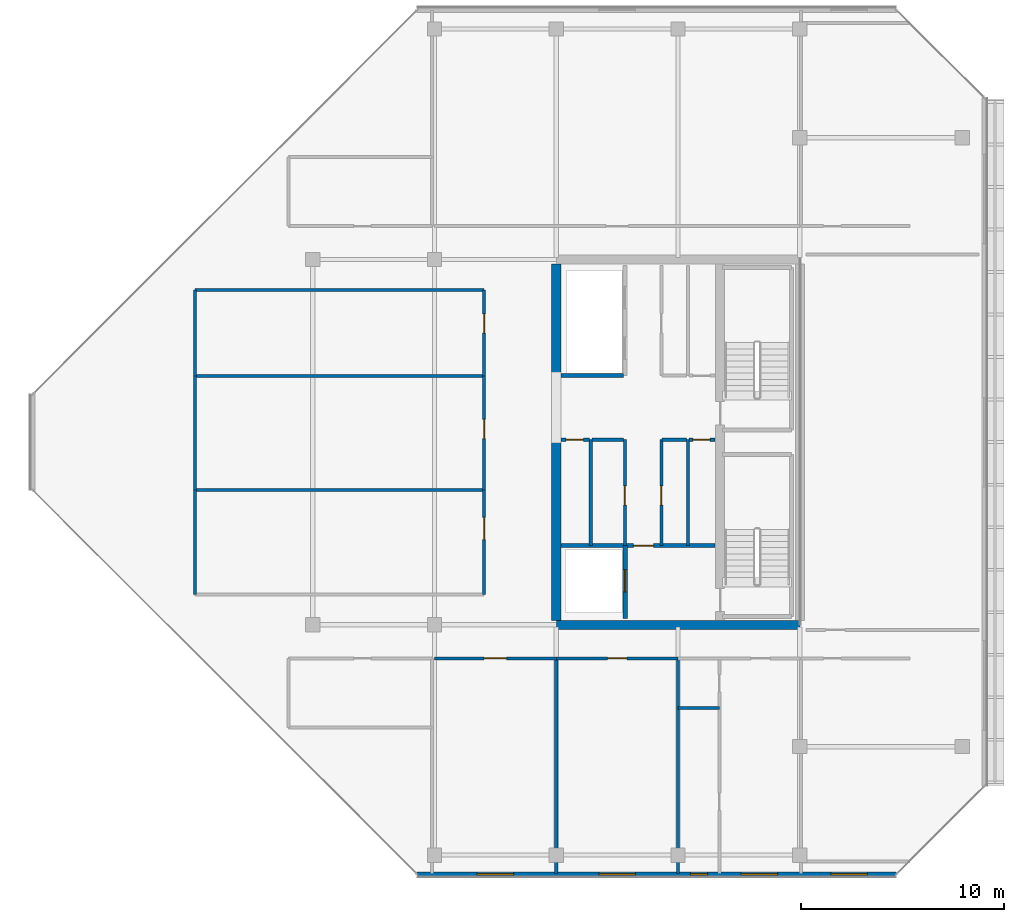
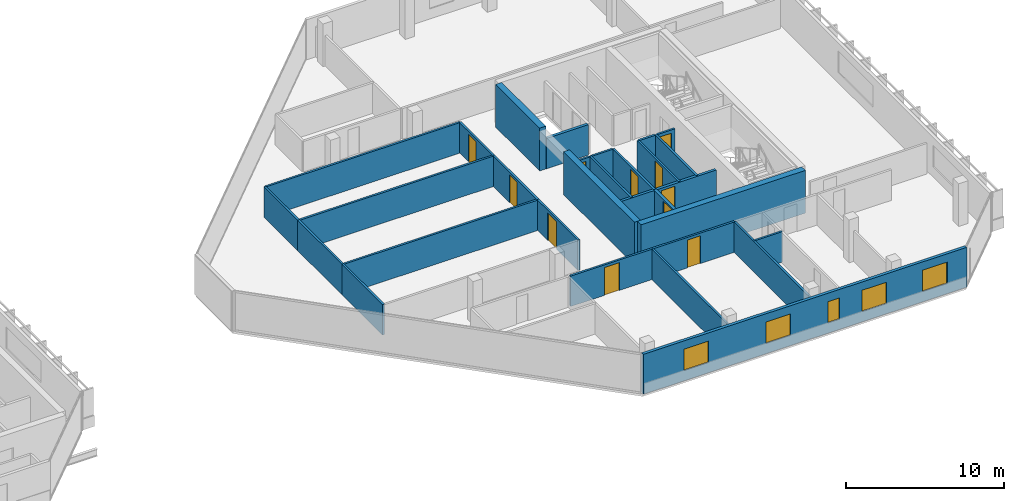
# One storey, part 23 of 29: 29 walls, 11 doors, 5 windows, 16 openings.
"""IFC4 building model written with IfcOpenShell, lengths in metres."""

from ifc_helpers import new_model, si_unit, direction, frame, frame_2d, origin, place, context, subcontext, project, spatial, rectangle, extrude, material, layer, layer_set, type_object, element, fill, save


model = new_model("IFC4")

# Units and contexts
model_context = context("Model", 3, precision=1e-05, world=origin(), true_north=direction((0.0, 1.0)))
body_context = subcontext(model_context, "Body", "Model", "MODEL_VIEW")
ifc_project = project(units=[si_unit("LENGTHUNIT", "METRE"), si_unit("AREAUNIT", "SQUARE_METRE"), si_unit("VOLUMEUNIT", "CUBIC_METRE"), si_unit("PLANEANGLEUNIT", "RADIAN"), si_unit("MASSUNIT", "GRAM", prefix="KILO")], contexts=[model_context])

# Site, building, storey
site_placement = place(None, origin())
site = spatial("IfcSite", under=ifc_project, at=site_placement, CompositionType="ELEMENT")
building_placement = place(site_placement, origin())
building = spatial("IfcBuilding", under=site, at=building_placement, Name="Tanjung Sevakor Pilgrim Tower", CompositionType="ELEMENT")
storey_placement = place(building_placement, frame((0.0, 0.0, 232.64990234375)))
storey = spatial("IfcBuildingStorey", under=building, at=storey_placement, Name="L65", CompositionType="ELEMENT", Elevation=232.64990234375)

# Walls
ifc_material_1 = material(Name="Concrete C60/75", Category="concrete")
ifc_layer_1 = layer(ifc_material_1, 0.449951171875)
ifc_layer_set_1 = layer_set([ifc_layer_1], Name="WALL-CW-450")
wall_type_1 = type_object("IfcWallType", Name="WALL-CW-450", PredefinedType="SHEAR", material=ifc_layer_set_1)
wall_1_placement = place(storey_placement, frame((78.0, 24.60009765625, 0.0), z_axis=(0.0, 0.0, 1.0), x_axis=(1.0, 0.0, 0.0)))
element("IfcWall", 1, at=wall_1_placement, inside=storey, type_object=wall_type_1, Name="L65 E Core South Shear Wall", PredefinedType="SHEAR", context=body_context, shape_type="SweptSolid", body=[
    extrude(rectangle(XDim=12.0, YDim=0.449951171875, at=frame_2d((6.0, 0.0))), origin(), (0.0, 0.0, 1.0), 3.300048828125),
])
wall_2_placement = place(storey_placement, frame((78.0, 24.824951171875, 0.0), z_axis=(0.0, 0.0, 1.0), x_axis=(0.0, 1.0, 0.0)))
element("IfcWall", 2, at=wall_2_placement, inside=storey, type_object=wall_type_1, Name="L65 E Core Inner Shear Wall South", PredefinedType="SHEAR", context=body_context, shape_type="SweptSolid", body=[
    extrude(rectangle(XDim=8.97509765625, YDim=0.449951171875, at=frame_2d((4.487548828125, 0.0))), origin(), (0.0, 0.0, 1.0), 3.300048828125),
])
wall_3_placement = place(storey_placement, frame((78.0, 36.800048828125, 0.0), z_axis=(0.0, 0.0, 1.0), x_axis=(0.0, 1.0, 0.0)))
element("IfcWall", 3, at=wall_3_placement, inside=storey, type_object=wall_type_1, Name="L65 E Core Inner Shear Wall North", PredefinedType="SHEAR", context=body_context, shape_type="SweptSolid", body=[
    extrude(rectangle(XDim=5.574951171875, YDim=0.449951171875, at=frame_2d((2.78759765625, 0.0))), origin(), (0.0, 0.0, 1.0), 3.300048828125),
])
ifc_material_2 = material(Name="Concrete C40/50", Category="concrete")
ifc_layer_2 = layer(ifc_material_2, 0.14990234375)
ifc_layer_set_2 = layer_set([ifc_layer_2], Name="WT-COMP-150")
wall_type_2 = type_object("IfcWallType", Name="WT-COMP-150", PredefinedType="SOLIDWALL", material=ifc_layer_set_2)
wall_4_placement = place(storey_placement, frame((84.47998046875, 28.5, 0.0), z_axis=(0.0, 0.0, 1.0), x_axis=(0.0, 1.0, 0.0)))
element("IfcWall", 4, at=wall_4_placement, inside=storey, type_object=wall_type_2, Name="L65 Partition IW-L65-019", PredefinedType="SOLIDWALL", context=body_context, shape_type="SweptSolid", body=[
    extrude(rectangle(XDim=5.219970703125, YDim=0.14990234375, at=frame_2d((2.60986328125, 0.0))), origin(), (0.0, 0.0, 1.0), 2.35009765625),
])

# Wall, opening, door
wall_5_placement = place(storey_placement, frame((84.550048828125, 33.719970703125, 0.0), z_axis=(0.0, 0.0, 1.0), x_axis=(1.0, 0.0, 0.0)))
wall_5 = element("IfcWall", 5, at=wall_5_placement, inside=storey, type_object=wall_type_2, Name="L65 Partition IW-L65-020", PredefinedType="SOLIDWALL", context=body_context, shape_type="SweptSolid", body=[
    extrude(rectangle(XDim=1.280029296875, YDim=0.14990234375, at=frame_2d((0.64013671875, 0.0))), origin(), (0.0, 0.0, 1.0), 2.35009765625),
])
opening_1_placement = place(wall_5_placement, frame((0.179931640625, 0.0, 0.0)))
opening_1 = element("IfcOpeningElement", 6, at=opening_1_placement, cuts=wall_5, Name="Opening ID-FD3", PredefinedType="OPENING", context=body_context, shape_type="SweptSolid", body=[
    extrude(rectangle(XDim=0.85009765625, YDim=2.10009765625, at=frame_2d((0.425048828125, 1.050048828125))), frame((0.0, 0.0849609375, 0.0), z_axis=(0.0, -1.0, 0.0), x_axis=(1.0, 0.0, 0.0)), (0.0, 0.0, 1.0), 0.169921875),
])
ifc_material_3 = material(Name="Fire-Rated Timber", Category="wood")
door_type_1 = type_object("IfcDoorType", Name="DT-FIRE-850", OperationType="NOTDEFINED", PredefinedType="DOOR", material=ifc_material_3)
door_1_placement = place(opening_1_placement, origin())
door_1 = element("IfcDoor", 7, at=door_1_placement, inside=storey, type_object=door_type_1, Name="L65 Cleaner Store Door", OperationType="SINGLE_SWING_LEFT", OverallHeight=2.10009765625, OverallWidth=0.85009765625, PredefinedType="DOOR", context=body_context, shape_type="SweptSolid", body=[
    extrude(rectangle(XDim=0.85009765625, YDim=2.10009765625, at=frame_2d((0.425048828125, 1.050048828125))), frame((0.0, 0.02490234375, 0.0), z_axis=(0.0, -1.0, 0.0), x_axis=(1.0, 0.0, 0.0)), (0.0, 0.0, 1.0), 0.050048828125),
])
fill(opening_1, door_1)

# Wall
wall_6_placement = place(storey_placement, frame((83.199951171875, 33.719970703125, 0.0), z_axis=(0.0, 0.0, 1.0), x_axis=(1.0, 0.0, 0.0)))
element("IfcWall", 8, at=wall_6_placement, inside=storey, type_object=wall_type_2, Name="L65 Partition IW-L65-021", PredefinedType="SOLIDWALL", context=body_context, shape_type="SweptSolid", body=[
    extrude(rectangle(XDim=1.219970703125, YDim=0.14990234375, at=frame_2d((0.60986328125, 0.0))), origin(), (0.0, 0.0, 1.0), 2.35009765625),
])

# Wall, opening, door
wall_7_placement = place(storey_placement, frame((83.179931640625, 28.5, 0.0), z_axis=(0.0, 0.0, 1.0), x_axis=(0.0, 1.0, 0.0)))
wall_7 = element("IfcWall", 9, at=wall_7_placement, inside=storey, type_object=wall_type_2, Name="L65 Partition IW-L65-022", PredefinedType="SOLIDWALL", context=body_context, shape_type="SweptSolid", body=[
    extrude(rectangle(XDim=5.219970703125, YDim=0.14990234375, at=frame_2d((2.60986328125, 0.0))), origin(), (0.0, 0.0, 1.0), 2.35009765625),
])
opening_2_placement = place(wall_7_placement, frame((2.0, 0.0, 0.0)))
opening_2 = element("IfcOpeningElement", 10, at=opening_2_placement, cuts=wall_7, Name="Opening ID-FD2", PredefinedType="OPENING", context=body_context, shape_type="SweptSolid", body=[
    extrude(rectangle(XDim=0.949951171875, YDim=2.14990234375, at=frame_2d((0.47509765625, 1.074951171875))), frame((0.0, 0.0849609375, 0.0), z_axis=(0.0, -1.0, 0.0), x_axis=(1.0, 0.0, 0.0)), (0.0, 0.0, 1.0), 0.169921875),
])
ifc_material_4 = material(Name="Fire-Rated Timber", Category="wood")
door_type_2 = type_object("IfcDoorType", Name="DT-FIRE-950", OperationType="NOTDEFINED", PredefinedType="DOOR", material=ifc_material_4)
door_2_placement = place(opening_2_placement, origin())
door_2 = element("IfcDoor", 11, at=door_2_placement, inside=storey, type_object=door_type_2, Name="L65 Housekeeping Pantry Door", OperationType="SINGLE_SWING_RIGHT", OverallHeight=2.14990234375, OverallWidth=0.949951171875, PredefinedType="DOOR", context=body_context, shape_type="SweptSolid", body=[
    extrude(rectangle(XDim=0.949951171875, YDim=2.14990234375, at=frame_2d((0.47509765625, 1.074951171875))), frame((0.0, 0.02490234375, 0.0), z_axis=(0.0, -1.0, 0.0), x_axis=(1.0, 0.0, 0.0)), (0.0, 0.0, 1.0), 0.050048828125),
])
fill(opening_2, door_2)

# Walls
wall_8_placement = place(storey_placement, frame((79.699951171875, 28.5, 0.0), z_axis=(0.0, 0.0, 1.0), x_axis=(0.0, 1.0, 0.0)))
element("IfcWall", 12, at=wall_8_placement, inside=storey, type_object=wall_type_2, Name="L65 Partition IW-L65-023", PredefinedType="SOLIDWALL", context=body_context, shape_type="SweptSolid", body=[
    extrude(rectangle(XDim=5.219970703125, YDim=0.14990234375, at=frame_2d((2.60986328125, 0.0))), origin(), (0.0, 0.0, 1.0), 2.35009765625),
])
wall_9_placement = place(storey_placement, frame((79.760009765625, 33.719970703125, 0.0), z_axis=(0.0, 0.0, 1.0), x_axis=(1.0, 0.0, 0.0)))
element("IfcWall", 13, at=wall_9_placement, inside=storey, type_object=wall_type_2, Name="L65 Partition IW-L65-024", PredefinedType="SOLIDWALL", context=body_context, shape_type="SweptSolid", body=[
    extrude(rectangle(XDim=1.56005859375, YDim=0.14990234375, at=frame_2d((0.780029296875, 0.0))), origin(), (0.0, 0.0, 1.0), 2.35009765625),
])

# Wall, opening, door
wall_10_placement = place(storey_placement, frame((78.2451171875, 33.719970703125, 0.0), z_axis=(0.0, 0.0, 1.0), x_axis=(1.0, 0.0, 0.0)))
wall_10 = element("IfcWall", 14, at=wall_10_placement, inside=storey, type_object=wall_type_2, Name="L65 Partition IW-L65-025", PredefinedType="SOLIDWALL", context=body_context, shape_type="SweptSolid", body=[
    extrude(rectangle(XDim=1.394775390625, YDim=0.14990234375, at=frame_2d((0.697265625, 0.0))), origin(), (0.0, 0.0, 1.0), 2.35009765625),
])
opening_3_placement = place(wall_10_placement, frame((0.239990234375, 0.0, 0.0)))
opening_3 = element("IfcOpeningElement", 15, at=opening_3_placement, cuts=wall_10, Name="Opening ID-FD3", PredefinedType="OPENING", context=body_context, shape_type="SweptSolid", body=[
    extrude(rectangle(XDim=0.85009765625, YDim=2.10009765625, at=frame_2d((0.425048828125, 1.050048828125))), frame((0.0, 0.0849609375, 0.0), z_axis=(0.0, -1.0, 0.0), x_axis=(1.0, 0.0, 0.0)), (0.0, 0.0, 1.0), 0.169921875),
])
door_3_placement = place(opening_3_placement, origin())
door_3 = element("IfcDoor", 16, at=door_3_placement, inside=storey, type_object=door_type_1, Name="L65 Service Store Door", OperationType="SINGLE_SWING_LEFT", OverallHeight=2.10009765625, OverallWidth=0.85009765625, PredefinedType="DOOR", context=body_context, shape_type="SweptSolid", body=[
    extrude(rectangle(XDim=0.85009765625, YDim=2.10009765625, at=frame_2d((0.425048828125, 1.050048828125))), frame((0.0, 0.02490234375, 0.0), z_axis=(0.0, -1.0, 0.0), x_axis=(1.0, 0.0, 0.0)), (0.0, 0.0, 1.0), 0.050048828125),
])
fill(opening_3, door_3)

wall_11_placement = place(storey_placement, frame((81.3798828125, 28.5, 0.0), z_axis=(0.0, 0.0, 1.0), x_axis=(0.0, 1.0, 0.0)))
wall_11 = element("IfcWall", 17, at=wall_11_placement, inside=storey, type_object=wall_type_2, Name="L65 Partition IW-L65-026", PredefinedType="SOLIDWALL", context=body_context, shape_type="SweptSolid", body=[
    extrude(rectangle(XDim=5.219970703125, YDim=0.14990234375, at=frame_2d((2.60986328125, 0.0))), origin(), (0.0, 0.0, 1.0), 2.35009765625),
])
opening_4_placement = place(wall_11_placement, frame((2.0, 0.0, 0.0)))
opening_4 = element("IfcOpeningElement", 18, at=opening_4_placement, cuts=wall_11, Name="Opening ID-FD2", PredefinedType="OPENING", context=body_context, shape_type="SweptSolid", body=[
    extrude(rectangle(XDim=0.949951171875, YDim=2.14990234375, at=frame_2d((0.47509765625, 1.074951171875))), frame((0.0, 0.0849609375, 0.0), z_axis=(0.0, -1.0, 0.0), x_axis=(1.0, 0.0, 0.0)), (0.0, 0.0, 1.0), 0.169921875),
])
door_4_placement = place(opening_4_placement, origin())
door_4 = element("IfcDoor", 19, at=door_4_placement, inside=storey, type_object=door_type_2, Name="L65 Accessible WC Door", OperationType="SINGLE_SWING_RIGHT", OverallHeight=2.14990234375, OverallWidth=0.949951171875, PredefinedType="DOOR", context=body_context, shape_type="SweptSolid", body=[
    extrude(rectangle(XDim=0.949951171875, YDim=2.14990234375, at=frame_2d((0.47509765625, 1.074951171875))), frame((0.0, 0.02490234375, 0.0), z_axis=(0.0, -1.0, 0.0), x_axis=(1.0, 0.0, 0.0)), (0.0, 0.0, 1.0), 0.050048828125),
])
fill(opening_4, door_4)

# Wall
wall_12_placement = place(storey_placement, frame((78.0, 12.340087890625, 0.0), z_axis=(0.0, 0.0, 1.0), x_axis=(0.0, 1.0, 0.0)))
element("IfcWall", 20, at=wall_12_placement, inside=storey, type_object=wall_type_2, Name="L65 Partition IW-L65-057", PredefinedType="SOLIDWALL", context=body_context, shape_type="SweptSolid", body=[
    extrude(rectangle(XDim=10.60986328125, YDim=0.14990234375, at=frame_2d((5.304931640625, 0.0))), origin(), (0.0, 0.0, 1.0), 2.35009765625),
])

# Wall, opening, door
wall_13_placement = place(storey_placement, frame((72.0, 22.949951171875, 0.0), z_axis=(0.0, 0.0, 1.0), x_axis=(1.0, 0.0, 0.0)))
wall_13 = element("IfcWall", 21, at=wall_13_placement, inside=storey, type_object=wall_type_2, Name="L65 Partition IW-L65-058", PredefinedType="SOLIDWALL", context=body_context, shape_type="SweptSolid", body=[
    extrude(rectangle(XDim=6.0, YDim=0.14990234375, at=frame_2d((3.0, 0.0))), origin(), (0.0, 0.0, 1.0), 2.35009765625),
])
opening_5_placement = place(wall_13_placement, frame((2.449951171875, 0.0, 0.0)))
opening_5 = element("IfcOpeningElement", 22, at=opening_5_placement, cuts=wall_13, Name="Opening ID-FD0", PredefinedType="OPENING", context=body_context, shape_type="SweptSolid", body=[
    extrude(rectangle(XDim=1.10009765625, YDim=2.14990234375, at=frame_2d((0.550048828125, 1.074951171875))), frame((0.0, 0.0849609375, 0.0), z_axis=(0.0, -1.0, 0.0), x_axis=(1.0, 0.0, 0.0)), (0.0, 0.0, 1.0), 0.169921875),
])
ifc_material_5 = material(Name="Fire-Rated Steel S355J2", Category="steel")
door_type_3 = type_object("IfcDoorType", Name="DT-FIRE-1100", OperationType="NOTDEFINED", PredefinedType="DOOR", material=ifc_material_5)
door_5_placement = place(opening_5_placement, origin())
door_5 = element("IfcDoor", 23, at=door_5_placement, inside=storey, type_object=door_type_3, Name="Council Room Door", OperationType="SINGLE_SWING_LEFT", OverallHeight=2.14990234375, OverallWidth=1.10009765625, PredefinedType="DOOR", context=body_context, shape_type="SweptSolid", body=[
    extrude(rectangle(XDim=1.10009765625, YDim=2.14990234375, at=frame_2d((0.550048828125, 1.074951171875))), frame((0.0, 0.02490234375, 0.0), z_axis=(0.0, -1.0, 0.0), x_axis=(1.0, 0.0, 0.0)), (0.0, 0.0, 1.0), 0.050048828125),
])
fill(opening_5, door_5)

# Wall
wall_14_placement = place(storey_placement, frame((84.0, 12.340087890625, 0.0), z_axis=(0.0, 0.0, 1.0), x_axis=(0.0, 1.0, 0.0)))
element("IfcWall", 24, at=wall_14_placement, inside=storey, type_object=wall_type_2, Name="L65 Partition IW-L65-059", PredefinedType="SOLIDWALL", context=body_context, shape_type="SweptSolid", body=[
    extrude(rectangle(XDim=10.60986328125, YDim=0.14990234375, at=frame_2d((5.304931640625, 0.0))), origin(), (0.0, 0.0, 1.0), 2.35009765625),
])

# Wall, opening, door
wall_15_placement = place(storey_placement, frame((78.0, 22.949951171875, 0.0), z_axis=(0.0, 0.0, 1.0), x_axis=(1.0, 0.0, 0.0)))
wall_15 = element("IfcWall", 25, at=wall_15_placement, inside=storey, type_object=wall_type_2, Name="L65 Partition IW-L65-060", PredefinedType="SOLIDWALL", context=body_context, shape_type="SweptSolid", body=[
    extrude(rectangle(XDim=6.0, YDim=0.14990234375, at=frame_2d((3.0, 0.0))), origin(), (0.0, 0.0, 1.0), 2.35009765625),
])
opening_6_placement = place(wall_15_placement, frame((2.52490234375, 0.0, 0.0)))
opening_6 = element("IfcOpeningElement", 26, at=opening_6_placement, cuts=wall_15, Name="Opening ID-FD2", PredefinedType="OPENING", context=body_context, shape_type="SweptSolid", body=[
    extrude(rectangle(XDim=0.949951171875, YDim=2.14990234375, at=frame_2d((0.47509765625, 1.074951171875))), frame((0.0, 0.0849609375, 0.0), z_axis=(0.0, -1.0, 0.0), x_axis=(1.0, 0.0, 0.0)), (0.0, 0.0, 1.0), 0.169921875),
])
door_6_placement = place(opening_6_placement, origin())
door_6 = element("IfcDoor", 27, at=door_6_placement, inside=storey, type_object=door_type_2, Name="Housekeeping Pantry Door", OperationType="SINGLE_SWING_RIGHT", OverallHeight=2.14990234375, OverallWidth=0.949951171875, PredefinedType="DOOR", context=body_context, shape_type="SweptSolid", body=[
    extrude(rectangle(XDim=0.949951171875, YDim=2.14990234375, at=frame_2d((0.47509765625, 1.074951171875))), frame((0.0, 0.02490234375, 0.0), z_axis=(0.0, -1.0, 0.0), x_axis=(1.0, 0.0, 0.0)), (0.0, 0.0, 1.0), 0.050048828125),
])
fill(opening_6, door_6)

# Walls
wall_16_placement = place(storey_placement, frame((60.199951171875, 31.25, 0.0), z_axis=(0.0, 0.0, 1.0), x_axis=(1.0, 0.0, 0.0)))
element("IfcWall", 28, at=wall_16_placement, inside=storey, type_object=wall_type_2, Name="L65 Partition IW-L65-066", PredefinedType="SOLIDWALL", context=body_context, shape_type="SweptSolid", body=[
    extrude(rectangle(XDim=14.25, YDim=0.14990234375, at=frame_2d((7.125, 0.0))), origin(), (0.0, 0.0, 1.0), 2.35009765625),
])
wall_17_placement = place(storey_placement, frame((60.199951171875, 26.10009765625, 0.0), z_axis=(0.0, 0.0, 1.0), x_axis=(0.0, 1.0, 0.0)))
element("IfcWall", 29, at=wall_17_placement, inside=storey, type_object=wall_type_2, Name="L65 Partition IW-L65-067", PredefinedType="SOLIDWALL", context=body_context, shape_type="SweptSolid", body=[
    extrude(rectangle(XDim=5.14990234375, YDim=0.14990234375, at=frame_2d((2.574951171875, 0.0))), origin(), (0.0, 0.0, 1.0), 2.35009765625),
])

# Wall, opening, door
wall_18_placement = place(storey_placement, frame((74.449951171875, 26.10009765625, 0.0), z_axis=(0.0, 0.0, 1.0), x_axis=(0.0, 1.0, 0.0)))
wall_18 = element("IfcWall", 30, at=wall_18_placement, inside=storey, type_object=wall_type_2, Name="L65 Partition IW-L65-068", PredefinedType="SOLIDWALL", context=body_context, shape_type="SweptSolid", body=[
    extrude(rectangle(XDim=5.14990234375, YDim=0.14990234375, at=frame_2d((2.574951171875, 0.0))), origin(), (0.0, 0.0, 1.0), 2.35009765625),
])
opening_7_placement = place(wall_18_placement, frame((2.699951171875, 0.0, 0.0)))
opening_7 = element("IfcOpeningElement", 31, at=opening_7_placement, cuts=wall_18, Name="Opening ID-RM2", PredefinedType="OPENING", context=body_context, shape_type="SweptSolid", body=[
    extrude(rectangle(XDim=1.10009765625, YDim=2.14990234375, at=frame_2d((0.550048828125, 1.074951171875))), frame((0.0, 0.0849609375, 0.0), z_axis=(0.0, -1.0, 0.0), x_axis=(1.0, 0.0, 0.0)), (0.0, 0.0, 1.0), 0.169921875),
])
ifc_material_6 = material(Name="Hardwood Timber", Category="wood")
door_type_4 = type_object("IfcDoorType", Name="DT-INT-1100", OperationType="NOTDEFINED", PredefinedType="DOOR", material=ifc_material_6)
door_7_placement = place(opening_7_placement, origin())
door_7 = element("IfcDoor", 32, at=door_7_placement, inside=storey, type_object=door_type_4, Name="L65 South Peak Lounge Door", OperationType="SINGLE_SWING_LEFT", OverallHeight=2.14990234375, OverallWidth=1.10009765625, PredefinedType="DOOR", context=body_context, shape_type="SweptSolid", body=[
    extrude(rectangle(XDim=1.10009765625, YDim=2.14990234375, at=frame_2d((0.550048828125, 1.074951171875))), frame((0.0, 0.02490234375, 0.0), z_axis=(0.0, -1.0, 0.0), x_axis=(1.0, 0.0, 0.0)), (0.0, 0.0, 1.0), 0.050048828125),
])
fill(opening_7, door_7)

# Walls
wall_19_placement = place(storey_placement, frame((60.199951171875, 36.85009765625, 0.0), z_axis=(0.0, 0.0, 1.0), x_axis=(1.0, 0.0, 0.0)))
element("IfcWall", 33, at=wall_19_placement, inside=storey, type_object=wall_type_2, Name="L65 Partition IW-L65-069", PredefinedType="SOLIDWALL", context=body_context, shape_type="SweptSolid", body=[
    extrude(rectangle(XDim=14.25, YDim=0.14990234375, at=frame_2d((7.125, 0.0))), origin(), (0.0, 0.0, 1.0), 2.35009765625),
])
wall_20_placement = place(storey_placement, frame((60.199951171875, 31.25, 0.0), z_axis=(0.0, 0.0, 1.0), x_axis=(0.0, 1.0, 0.0)))
element("IfcWall", 34, at=wall_20_placement, inside=storey, type_object=wall_type_2, Name="L65 Partition IW-L65-070", PredefinedType="SOLIDWALL", context=body_context, shape_type="SweptSolid", body=[
    extrude(rectangle(XDim=5.60009765625, YDim=0.14990234375, at=frame_2d((2.800048828125, 0.0))), origin(), (0.0, 0.0, 1.0), 2.35009765625),
])

# Wall, opening, door
wall_21_placement = place(storey_placement, frame((74.449951171875, 31.25, 0.0), z_axis=(0.0, 0.0, 1.0), x_axis=(0.0, 1.0, 0.0)))
wall_21 = element("IfcWall", 35, at=wall_21_placement, inside=storey, type_object=wall_type_2, Name="L65 Partition IW-L65-071", PredefinedType="SOLIDWALL", context=body_context, shape_type="SweptSolid", body=[
    extrude(rectangle(XDim=5.60009765625, YDim=0.14990234375, at=frame_2d((2.800048828125, 0.0))), origin(), (0.0, 0.0, 1.0), 2.35009765625),
])
opening_8_placement = place(wall_21_placement, frame((2.52490234375, 0.0, 0.0)))
opening_8 = element("IfcOpeningElement", 36, at=opening_8_placement, cuts=wall_21, Name="Opening ID-RM1", PredefinedType="OPENING", context=body_context, shape_type="SweptSolid", body=[
    extrude(rectangle(XDim=0.949951171875, YDim=2.14990234375, at=frame_2d((0.47509765625, 1.074951171875))), frame((0.0, 0.0849609375, 0.0), z_axis=(0.0, -1.0, 0.0), x_axis=(1.0, 0.0, 0.0)), (0.0, 0.0, 1.0), 0.169921875),
])
ifc_material_7 = material(Name="Hardwood Timber", Category="wood")
door_type_5 = type_object("IfcDoorType", Name="DT-INT-950", OperationType="NOTDEFINED", PredefinedType="DOOR", material=ifc_material_7)
door_8_placement = place(opening_8_placement, origin())
door_8 = element("IfcDoor", 37, at=door_8_placement, inside=storey, type_object=door_type_5, Name="L65 Mid Peak Study Door", OperationType="SINGLE_SWING_RIGHT", OverallHeight=2.14990234375, OverallWidth=0.949951171875, PredefinedType="DOOR", context=body_context, shape_type="SweptSolid", body=[
    extrude(rectangle(XDim=0.949951171875, YDim=2.14990234375, at=frame_2d((0.47509765625, 1.074951171875))), frame((0.0, 0.02490234375, 0.0), z_axis=(0.0, -1.0, 0.0), x_axis=(1.0, 0.0, 0.0)), (0.0, 0.0, 1.0), 0.050048828125),
])
fill(opening_8, door_8)

# Walls
wall_22_placement = place(storey_placement, frame((60.199951171875, 41.10009765625, 0.0), z_axis=(0.0, 0.0, 1.0), x_axis=(1.0, 0.0, 0.0)))
element("IfcWall", 38, at=wall_22_placement, inside=storey, type_object=wall_type_2, Name="L65 Partition IW-L65-072", PredefinedType="SOLIDWALL", context=body_context, shape_type="SweptSolid", body=[
    extrude(rectangle(XDim=14.25, YDim=0.14990234375, at=frame_2d((7.125, 0.0))), origin(), (0.0, 0.0, 1.0), 2.35009765625),
])
wall_23_placement = place(storey_placement, frame((60.199951171875, 36.85009765625, 0.0), z_axis=(0.0, 0.0, 1.0), x_axis=(0.0, 1.0, 0.0)))
element("IfcWall", 39, at=wall_23_placement, inside=storey, type_object=wall_type_2, Name="L65 Partition IW-L65-073", PredefinedType="SOLIDWALL", context=body_context, shape_type="SweptSolid", body=[
    extrude(rectangle(XDim=4.25, YDim=0.14990234375, at=frame_2d((2.125, 0.0))), origin(), (0.0, 0.0, 1.0), 2.35009765625),
])

# Wall, opening, door
wall_24_placement = place(storey_placement, frame((74.449951171875, 36.85009765625, 0.0), z_axis=(0.0, 0.0, 1.0), x_axis=(0.0, 1.0, 0.0)))
wall_24 = element("IfcWall", 40, at=wall_24_placement, inside=storey, type_object=wall_type_2, Name="L65 Partition IW-L65-074", PredefinedType="SOLIDWALL", context=body_context, shape_type="SweptSolid", body=[
    extrude(rectangle(XDim=4.25, YDim=0.14990234375, at=frame_2d((2.125, 0.0))), origin(), (0.0, 0.0, 1.0), 2.35009765625),
])
opening_9_placement = place(wall_24_placement, frame((2.125, 0.0, 0.0)))
opening_9 = element("IfcOpeningElement", 41, at=opening_9_placement, cuts=wall_24, Name="Opening ID-RM1", PredefinedType="OPENING", context=body_context, shape_type="SweptSolid", body=[
    extrude(rectangle(XDim=0.949951171875, YDim=2.14990234375, at=frame_2d((0.47509765625, 1.074951171875))), frame((0.0, 0.0849609375, 0.0), z_axis=(0.0, -1.0, 0.0), x_axis=(1.0, 0.0, 0.0)), (0.0, 0.0, 1.0), 0.169921875),
])
door_9_placement = place(opening_9_placement, origin())
door_9 = element("IfcDoor", 42, at=door_9_placement, inside=storey, type_object=door_type_5, Name="L65 North Peak Council Door", OperationType="SINGLE_SWING_LEFT", OverallHeight=2.14990234375, OverallWidth=0.949951171875, PredefinedType="DOOR", context=body_context, shape_type="SweptSolid", body=[
    extrude(rectangle(XDim=0.949951171875, YDim=2.14990234375, at=frame_2d((0.47509765625, 1.074951171875))), frame((0.0, 0.02490234375, 0.0), z_axis=(0.0, -1.0, 0.0), x_axis=(1.0, 0.0, 0.0)), (0.0, 0.0, 1.0), 0.050048828125),
])
fill(opening_9, door_9)

# Wall, openings, windows
ifc_material_8 = material(Name="Precast concrete C45/55", Category="concrete")
ifc_layer_3 = layer(ifc_material_8, 0.219970703125)
ifc_layer_set_3 = layer_set([ifc_layer_3], Name="WT-EW-STN4")
wall_type_3 = type_object("IfcWallType", Name="WT-EW-STN4", PredefinedType="SOLIDWALL", material=ifc_layer_set_3)
wall_25_placement = place(storey_placement, frame((71.1455078125, 12.31005859375, 0.0), z_axis=(0.0, 0.0, 1.0), x_axis=(1.0, 0.0, 0.0)))
wall_25 = element("IfcWall", 43, at=wall_25_placement, inside=storey, type_object=wall_type_3, Name="L65 EAST Exterior Wall 1", PredefinedType="SOLIDWALL", context=body_context, shape_type="SweptSolid", body=[
    extrude(rectangle(XDim=23.60888671875, YDim=0.219970703125, at=frame_2d((11.804443359375, 0.0))), origin(), (0.0, 0.0, 1.0), 3.080078125),
])
opening_10_placement = place(wall_25_placement, frame((20.381591796875, 0.0, 0.780029296875)))
opening_10 = element("IfcOpeningElement", 44, at=opening_10_placement, cuts=wall_25, Name="Opening WN-Z3-1660", PredefinedType="OPENING", context=body_context, shape_type="SweptSolid", body=[
    extrude(rectangle(XDim=1.800048828125, YDim=1.659912109375, at=frame_2d((0.89990234375, 0.830078125))), frame((0.0, 0.119873046875, 0.0), z_axis=(0.0, -1.0, 0.0), x_axis=(1.0, 0.0, 0.0)), (0.0, 0.0, 1.0), 0.239990234375),
])
opening_11_placement = place(wall_25_placement, frame((2.954345703125, 0.0, 0.780029296875)))
opening_11 = element("IfcOpeningElement", 45, at=opening_11_placement, cuts=wall_25, Name="Opening WN-Z3-1660", PredefinedType="OPENING", context=body_context, shape_type="SweptSolid", body=[
    extrude(rectangle(XDim=1.800048828125, YDim=1.659912109375, at=frame_2d((0.89990234375, 0.830078125))), frame((0.0, 0.119873046875, 0.0), z_axis=(0.0, -1.0, 0.0), x_axis=(1.0, 0.0, 0.0)), (0.0, 0.0, 1.0), 0.239990234375),
])
opening_12_placement = place(wall_25_placement, frame((8.954345703125, 0.0, 0.780029296875)))
opening_12 = element("IfcOpeningElement", 46, at=opening_12_placement, cuts=wall_25, Name="Opening WN-Z3-1660", PredefinedType="OPENING", context=body_context, shape_type="SweptSolid", body=[
    extrude(rectangle(XDim=1.800048828125, YDim=1.659912109375, at=frame_2d((0.89990234375, 0.830078125))), frame((0.0, 0.119873046875, 0.0), z_axis=(0.0, -1.0, 0.0), x_axis=(1.0, 0.0, 0.0)), (0.0, 0.0, 1.0), 0.239990234375),
])
opening_13_placement = place(wall_25_placement, frame((13.45947265625, 0.0, 0.780029296875)))
opening_13 = element("IfcOpeningElement", 47, at=opening_13_placement, cuts=wall_25, Name="Opening WN-SLM", PredefinedType="OPENING", context=body_context, shape_type="SweptSolid", body=[
    extrude(rectangle(XDim=0.85009765625, YDim=1.64990234375, at=frame_2d((0.425048828125, 0.824951171875))), frame((0.0, 0.119873046875, 0.0), z_axis=(0.0, -1.0, 0.0), x_axis=(1.0, 0.0, 0.0)), (0.0, 0.0, 1.0), 0.239990234375),
])
opening_14_placement = place(wall_25_placement, frame((15.96435546875, 0.0, 0.780029296875)))
opening_14 = element("IfcOpeningElement", 48, at=opening_14_placement, cuts=wall_25, Name="Opening WN-Z3-1660", PredefinedType="OPENING", context=body_context, shape_type="SweptSolid", body=[
    extrude(rectangle(XDim=1.800048828125, YDim=1.659912109375, at=frame_2d((0.89990234375, 0.830078125))), frame((0.0, 0.119873046875, 0.0), z_axis=(0.0, -1.0, 0.0), x_axis=(1.0, 0.0, 0.0)), (0.0, 0.0, 1.0), 0.239990234375),
])
ifc_material_9 = material(Name="Thermally Broken Aluminium and Low-E Glass", Category="aluminium")
window_type_1 = type_object("IfcWindowType", Name="WTYP-WN-SLM", PartitioningType="SINGLE_PANEL", PredefinedType="WINDOW", material=ifc_material_9)
window_1_placement = place(opening_13_placement, origin())
window_1 = element("IfcWindow", 49, at=window_1_placement, inside=storey, type_object=window_type_1, Name="L65 Facade Window 04", OverallHeight=1.64990234375, OverallWidth=0.85009765625, PartitioningType="SINGLE_PANEL", PredefinedType="WINDOW", context=body_context, shape_type="SweptSolid", body=[
    extrude(rectangle(XDim=0.85009765625, YDim=1.64990234375, at=frame_2d((0.425048828125, 0.824951171875))), frame((0.0, 0.030029296875, 0.0), z_axis=(0.0, -1.0, 0.0), x_axis=(1.0, 0.0, 0.0)), (0.0, 0.0, 1.0), 0.06005859375),
])
fill(opening_13, window_1)
ifc_material_10 = material(Name="Thermally Broken Aluminium and Low-E Glass", Category="aluminium")
window_type_2 = type_object("IfcWindowType", Name="WTYP-WN-Z3-1660", PartitioningType="DOUBLE_PANEL_VERTICAL", PredefinedType="WINDOW", material=ifc_material_10)
window_2_placement = place(opening_10_placement, origin())
window_2 = element("IfcWindow", 50, at=window_2_placement, inside=storey, type_object=window_type_2, Name="L65 Facade Window 01", OverallHeight=1.659912109375, OverallWidth=1.800048828125, PartitioningType="SINGLE_PANEL", PredefinedType="WINDOW", context=body_context, shape_type="SweptSolid", body=[
    extrude(rectangle(XDim=1.800048828125, YDim=1.659912109375, at=frame_2d((0.89990234375, 0.830078125))), frame((0.0, 0.030029296875, 0.0), z_axis=(0.0, -1.0, 0.0), x_axis=(1.0, 0.0, 0.0)), (0.0, 0.0, 1.0), 0.06005859375),
])
fill(opening_10, window_2)
window_3_placement = place(opening_11_placement, origin())
window_3 = element("IfcWindow", 51, at=window_3_placement, inside=storey, type_object=window_type_2, Name="L65 Facade Window 02", OverallHeight=1.659912109375, OverallWidth=1.800048828125, PartitioningType="SINGLE_PANEL", PredefinedType="WINDOW", context=body_context, shape_type="SweptSolid", body=[
    extrude(rectangle(XDim=1.800048828125, YDim=1.659912109375, at=frame_2d((0.89990234375, 0.830078125))), frame((0.0, 0.030029296875, 0.0), z_axis=(0.0, -1.0, 0.0), x_axis=(1.0, 0.0, 0.0)), (0.0, 0.0, 1.0), 0.06005859375),
])
fill(opening_11, window_3)
window_4_placement = place(opening_12_placement, origin())
window_4 = element("IfcWindow", 52, at=window_4_placement, inside=storey, type_object=window_type_2, Name="L65 Facade Window 03", OverallHeight=1.659912109375, OverallWidth=1.800048828125, PartitioningType="SINGLE_PANEL", PredefinedType="WINDOW", context=body_context, shape_type="SweptSolid", body=[
    extrude(rectangle(XDim=1.800048828125, YDim=1.659912109375, at=frame_2d((0.89990234375, 0.830078125))), frame((0.0, 0.030029296875, 0.0), z_axis=(0.0, -1.0, 0.0), x_axis=(1.0, 0.0, 0.0)), (0.0, 0.0, 1.0), 0.06005859375),
])
fill(opening_12, window_4)
window_5_placement = place(opening_14_placement, origin())
window_5 = element("IfcWindow", 53, at=window_5_placement, inside=storey, type_object=window_type_2, Name="L65 Facade Window 05", OverallHeight=1.659912109375, OverallWidth=1.800048828125, PartitioningType="SINGLE_PANEL", PredefinedType="WINDOW", context=body_context, shape_type="SweptSolid", body=[
    extrude(rectangle(XDim=1.800048828125, YDim=1.659912109375, at=frame_2d((0.89990234375, 0.830078125))), frame((0.0, 0.030029296875, 0.0), z_axis=(0.0, -1.0, 0.0), x_axis=(1.0, 0.0, 0.0)), (0.0, 0.0, 1.0), 0.06005859375),
])
fill(opening_14, window_5)

# Wall, opening, door
ifc_material_11 = material(Name="Concrete C40/50", Category="concrete")
ifc_layer_4 = layer(ifc_material_11, 0.199951171875)
ifc_layer_set_4 = layer_set([ifc_layer_4], Name="WT-FPRT-200")
wall_type_4 = type_object("IfcWallType", Name="WT-FPRT-200", PredefinedType="SOLIDWALL", material=ifc_layer_set_4)
wall_26_placement = place(storey_placement, frame((81.39990234375, 24.919921875, 0.0), z_axis=(0.0, 0.0, 1.0), x_axis=(0.0, 1.0, 0.0)))
wall_26 = element("IfcWall", 54, at=wall_26_placement, inside=storey, type_object=wall_type_4, Name="L65 Partition IW-L65-017", PredefinedType="SOLIDWALL", context=body_context, shape_type="SweptSolid", body=[
    extrude(rectangle(XDim=3.580078125, YDim=0.199951171875, at=frame_2d((1.7900390625, 0.0))), origin(), (0.0, 0.0, 1.0), 2.35009765625),
])
opening_15_placement = place(wall_26_placement, frame((1.300048828125, 0.0, 0.0)))
opening_15 = element("IfcOpeningElement", 55, at=opening_15_placement, cuts=wall_26, Name="Opening LD-1100", PredefinedType="OPENING", context=body_context, shape_type="SweptSolid", body=[
    extrude(rectangle(XDim=1.10009765625, YDim=2.199951171875, at=frame_2d((0.550048828125, 1.10009765625))), frame((0.0, 0.10986328125, 0.0), z_axis=(0.0, -1.0, 0.0), x_axis=(1.0, 0.0, 0.0)), (0.0, 0.0, 1.0), 0.219970703125),
])
ifc_material_12 = material(Name="Brushed Stainless Steel S355J2", Category="steel")
door_type_6 = type_object("IfcDoorType", Name="DT-LIFT-1100", OperationType="SLIDING_TO_LEFT", PredefinedType="DOOR", material=ifc_material_12)
door_10_placement = place(opening_15_placement, origin())
door_10 = element("IfcDoor", 56, at=door_10_placement, inside=storey, type_object=door_type_6, Name="LD-FL-E", OperationType="SLIDING_TO_LEFT", OverallHeight=2.199951171875, OverallWidth=1.10009765625, PredefinedType="DOOR", context=body_context, shape_type="SweptSolid", body=[
    extrude(rectangle(XDim=1.10009765625, YDim=2.199951171875, at=frame_2d((0.550048828125, 1.10009765625))), frame((0.0, 0.02490234375, 0.0), z_axis=(0.0, -1.0, 0.0), x_axis=(1.0, 0.0, 0.0)), (0.0, 0.0, 1.0), 0.050048828125),
])
fill(opening_15, door_10)

wall_27_placement = place(storey_placement, frame((78.2451171875, 28.5, 0.0), z_axis=(0.0, 0.0, 1.0), x_axis=(1.0, 0.0, 0.0)))
wall_27 = element("IfcWall", 57, at=wall_27_placement, inside=storey, type_object=wall_type_4, Name="L65 Partition IW-L65-018", PredefinedType="SOLIDWALL", context=body_context, shape_type="SweptSolid", body=[
    extrude(rectangle(XDim=7.5849609375, YDim=0.199951171875, at=frame_2d((3.79248046875, 0.0))), origin(), (0.0, 0.0, 1.0), 2.35009765625),
])
opening_16_placement = place(wall_27_placement, frame((3.554931640625, 0.0, 0.0)))
opening_16 = element("IfcOpeningElement", 58, at=opening_16_placement, cuts=wall_27, Name="Opening ID-FD1", PredefinedType="OPENING", context=body_context, shape_type="SweptSolid", body=[
    extrude(rectangle(XDim=1.0, YDim=2.14990234375, at=frame_2d((0.5, 1.074951171875))), frame((0.0, 0.10986328125, 0.0), z_axis=(0.0, -1.0, 0.0), x_axis=(1.0, 0.0, 0.0)), (0.0, 0.0, 1.0), 0.219970703125),
])
ifc_material_13 = material(Name="Fire-Rated Steel S355J2", Category="steel")
door_type_7 = type_object("IfcDoorType", Name="DT-FIRE-1000", OperationType="NOTDEFINED", PredefinedType="DOOR", material=ifc_material_13)
door_11_placement = place(opening_16_placement, origin())
door_11 = element("IfcDoor", 59, at=door_11_placement, inside=storey, type_object=door_type_7, Name="Fire Lobby Door E", OperationType="SINGLE_SWING_RIGHT", OverallHeight=2.14990234375, OverallWidth=1.0, PredefinedType="DOOR", context=body_context, shape_type="SweptSolid", body=[
    extrude(rectangle(XDim=1.0, YDim=2.14990234375, at=frame_2d((0.5, 1.074951171875))), frame((0.0, 0.02490234375, 0.0), z_axis=(0.0, -1.0, 0.0), x_axis=(1.0, 0.0, 0.0)), (0.0, 0.0, 1.0), 0.050048828125),
])
fill(opening_16, door_11)

# Walls
wall_28_placement = place(storey_placement, frame((78.2451171875, 36.8798828125, 0.0), z_axis=(0.0, 0.0, 1.0), x_axis=(1.0, 0.0, 0.0)))
element("IfcWall", 60, at=wall_28_placement, inside=storey, type_object=wall_type_4, Name="L65 Partition IW-L65-031", PredefinedType="SOLIDWALL", context=body_context, shape_type="SweptSolid", body=[
    extrude(rectangle(XDim=3.074951171875, YDim=0.199951171875, at=frame_2d((1.53759765625, 0.0))), origin(), (0.0, 0.0, 1.0), 2.35009765625),
])
ifc_material_14 = material(Name="Gypsum Board Partition", Category="gypsum board")
ifc_layer_5 = layer(ifc_material_14, 0.14990234375)
ifc_layer_set_5 = layer_set([ifc_layer_5], Name="WT-PART-150")
wall_type_5 = type_object("IfcWallType", Name="WT-PART-150", PredefinedType="PARTITIONING", material=ifc_layer_set_5)
wall_29_placement = place(storey_placement, frame((84.0, 20.5, 0.0), z_axis=(0.0, 0.0, 1.0), x_axis=(1.0, 0.0, 0.0)))
element("IfcWall", 61, at=wall_29_placement, inside=storey, type_object=wall_type_5, Name="L65 Partition IW-L65-061", PredefinedType="PARTITIONING", context=body_context, shape_type="SweptSolid", body=[
    extrude(rectangle(XDim=2.0400390625, YDim=0.14990234375, at=frame_2d((1.02001953125, 0.0))), origin(), (0.0, 0.0, 1.0), 2.35009765625),
])

save(model, "model.ifc")
